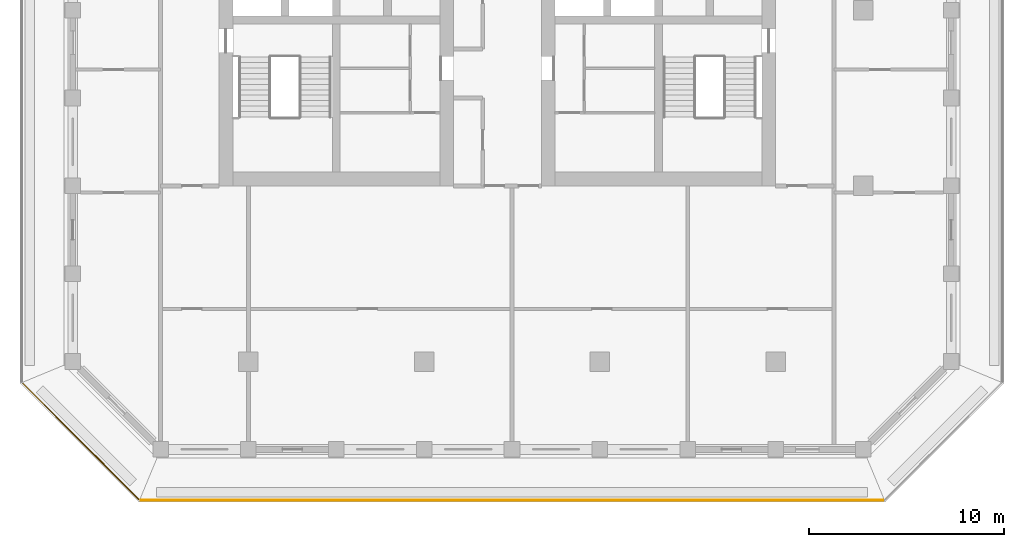
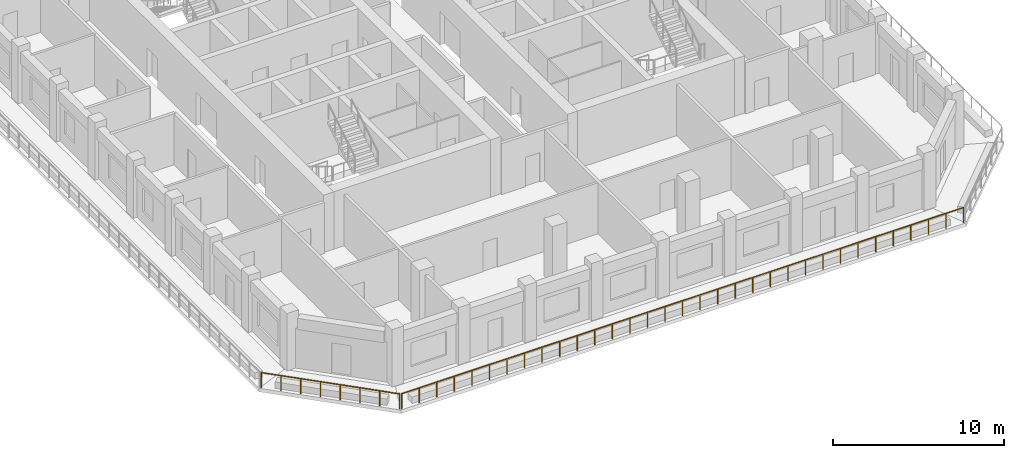
# One storey, part 9 of 17: 2 railings.
"""IFC4 building model written with IfcOpenShell, lengths in metres."""

from ifc_helpers import new_model, si_unit, direction, frame, origin, origin_2d, place, context, subcontext, project, spatial, circle, extrude, material, type_object, element, save


model = new_model("IFC4")

# Units and contexts
model_context = context("Model", 3, precision=1e-05, world=origin(), true_north=direction((0.0, 1.0)))
body_context = subcontext(model_context, "Body", "Model", "MODEL_VIEW")
ifc_project = project(units=[si_unit("LENGTHUNIT", "METRE"), si_unit("AREAUNIT", "SQUARE_METRE"), si_unit("VOLUMEUNIT", "CUBIC_METRE"), si_unit("PLANEANGLEUNIT", "RADIAN"), si_unit("MASSUNIT", "GRAM", prefix="KILO")], contexts=[model_context])

# Site, building, storey
site_placement = place(None, origin())
site = spatial("IfcSite", under=ifc_project, at=site_placement, CompositionType="ELEMENT")
building_placement = place(site_placement, origin())
building = spatial("IfcBuilding", under=site, at=building_placement, Name="Corbel Stack Research Tower", CompositionType="ELEMENT")
storey_placement = place(building_placement, frame((0.0, 0.0, 235.699951171875)))
storey = spatial("IfcBuildingStorey", under=building, at=storey_placement, Name="L53", CompositionType="ELEMENT", Elevation=235.699951171875)

# Railings
ifc_material = material(Name="Powder-coated steel guard", Category="steel")
railing_type = type_object("IfcRailingType", Name="Steel and glass guard 1100", PredefinedType="GUARDRAIL", material=ifc_material)
railing_1_placement = place(storey_placement, frame((-14.50537109375, -25.10009765625, 0.0)))
element("IfcRailing", 1, at=railing_1_placement, inside=storey, type_object=railing_type, Name="Loggia guard L53 S", PredefinedType="GUARDRAIL", context=body_context, shape_type="SweptSolid", body=[
    extrude(circle(Radius=0.02392578125, at=origin_2d()), frame((0.0, 0.0, 1.076171875), z_axis=(1.0, 0.0, 0.0), x_axis=(0.0, 1.0, 0.0)), (0.0, 0.0, 1.0), 38.0107421875),
    extrude(circle(Radius=0.02099609375, at=origin_2d()), origin(), (0.0, 0.0, 1.0), 1.052001953125),
    extrude(circle(Radius=0.02099609375, at=origin_2d()), frame((1.187744140625, 0.0, 0.0)), (0.0, 0.0, 1.0), 1.052001953125),
    extrude(circle(Radius=0.02099609375, at=origin_2d()), frame((2.375732421875, 0.0, 0.0)), (0.0, 0.0, 1.0), 1.052001953125),
    extrude(circle(Radius=0.02099609375, at=origin_2d()), frame((3.5634765625, 0.0, 0.0)), (0.0, 0.0, 1.0), 1.052001953125),
    extrude(circle(Radius=0.02099609375, at=origin_2d()), frame((4.75146484375, 0.0, 0.0)), (0.0, 0.0, 1.0), 1.052001953125),
    extrude(circle(Radius=0.02099609375, at=origin_2d()), frame((5.939208984375, 0.0, 0.0)), (0.0, 0.0, 1.0), 1.052001953125),
    extrude(circle(Radius=0.02099609375, at=origin_2d()), frame((7.126953125, 0.0, 0.0)), (0.0, 0.0, 1.0), 1.052001953125),
    extrude(circle(Radius=0.02099609375, at=origin_2d()), frame((8.31494140625, 0.0, 0.0)), (0.0, 0.0, 1.0), 1.052001953125),
    extrude(circle(Radius=0.02099609375, at=origin_2d()), frame((9.502685546875, 0.0, 0.0)), (0.0, 0.0, 1.0), 1.052001953125),
    extrude(circle(Radius=0.02099609375, at=origin_2d()), frame((10.6904296875, 0.0, 0.0)), (0.0, 0.0, 1.0), 1.052001953125),
    extrude(circle(Radius=0.02099609375, at=origin_2d()), frame((11.87841796875, 0.0, 0.0)), (0.0, 0.0, 1.0), 1.052001953125),
    extrude(circle(Radius=0.02099609375, at=origin_2d()), frame((13.066162109375, 0.0, 0.0)), (0.0, 0.0, 1.0), 1.052001953125),
    extrude(circle(Radius=0.02099609375, at=origin_2d()), frame((14.25390625, 0.0, 0.0)), (0.0, 0.0, 1.0), 1.052001953125),
    extrude(circle(Radius=0.02099609375, at=origin_2d()), frame((15.44189453125, 0.0, 0.0)), (0.0, 0.0, 1.0), 1.052001953125),
    extrude(circle(Radius=0.02099609375, at=origin_2d()), frame((16.629638671875, 0.0, 0.0)), (0.0, 0.0, 1.0), 1.052001953125),
    extrude(circle(Radius=0.02099609375, at=origin_2d()), frame((17.817626953125, 0.0, 0.0)), (0.0, 0.0, 1.0), 1.052001953125),
    extrude(circle(Radius=0.02099609375, at=origin_2d()), frame((19.00537109375, 0.0, 0.0)), (0.0, 0.0, 1.0), 1.052001953125),
    extrude(circle(Radius=0.02099609375, at=origin_2d()), frame((20.193115234375, 0.0, 0.0)), (0.0, 0.0, 1.0), 1.052001953125),
    extrude(circle(Radius=0.02099609375, at=origin_2d()), frame((21.381103515625, 0.0, 0.0)), (0.0, 0.0, 1.0), 1.052001953125),
    extrude(circle(Radius=0.02099609375, at=origin_2d()), frame((22.56884765625, 0.0, 0.0)), (0.0, 0.0, 1.0), 1.052001953125),
    extrude(circle(Radius=0.02099609375, at=origin_2d()), frame((23.7568359375, 0.0, 0.0)), (0.0, 0.0, 1.0), 1.052001953125),
    extrude(circle(Radius=0.02099609375, at=origin_2d()), frame((24.944580078125, 0.0, 0.0)), (0.0, 0.0, 1.0), 1.052001953125),
    extrude(circle(Radius=0.02099609375, at=origin_2d()), frame((26.13232421875, 0.0, 0.0)), (0.0, 0.0, 1.0), 1.052001953125),
    extrude(circle(Radius=0.02099609375, at=origin_2d()), frame((27.3203125, 0.0, 0.0)), (0.0, 0.0, 1.0), 1.052001953125),
    extrude(circle(Radius=0.02099609375, at=origin_2d()), frame((28.508056640625, 0.0, 0.0)), (0.0, 0.0, 1.0), 1.052001953125),
    extrude(circle(Radius=0.02099609375, at=origin_2d()), frame((29.69580078125, 0.0, 0.0)), (0.0, 0.0, 1.0), 1.052001953125),
    extrude(circle(Radius=0.02099609375, at=origin_2d()), frame((30.8837890625, 0.0, 0.0)), (0.0, 0.0, 1.0), 1.052001953125),
    extrude(circle(Radius=0.02099609375, at=origin_2d()), frame((32.071533203125, 0.0, 0.0)), (0.0, 0.0, 1.0), 1.052001953125),
    extrude(circle(Radius=0.02099609375, at=origin_2d()), frame((33.25927734375, 0.0, 0.0)), (0.0, 0.0, 1.0), 1.052001953125),
    extrude(circle(Radius=0.02099609375, at=origin_2d()), frame((34.447265625, 0.0, 0.0)), (0.0, 0.0, 1.0), 1.052001953125),
    extrude(circle(Radius=0.02099609375, at=origin_2d()), frame((35.635009765625, 0.0, 0.0)), (0.0, 0.0, 1.0), 1.052001953125),
    extrude(circle(Radius=0.02099609375, at=origin_2d()), frame((36.822998046875, 0.0, 0.0)), (0.0, 0.0, 1.0), 1.052001953125),
    extrude(circle(Radius=0.02099609375, at=origin_2d()), frame((38.0107421875, 0.0, 0.0)), (0.0, 0.0, 1.0), 1.052001953125),
])
railing_2_placement = place(storey_placement, frame((-20.54931640625, -19.127685546875, 0.0)))
element("IfcRailing", 2, at=railing_2_placement, inside=storey, type_object=railing_type, Name="Loggia guard L53 SW", PredefinedType="GUARDRAIL", context=body_context, shape_type="SweptSolid", body=[
    extrude(circle(Radius=0.02392578125, at=origin_2d()), frame((0.0, 0.0, 1.076171875), z_axis=(0.707106781187, -0.707106781187, 0.0), x_axis=(0.707106781187, 0.707106781187, 0.0)), (0.0, 0.0, 1.0), 8.37451171875),
    extrude(circle(Radius=0.02099609375, at=origin_2d()), origin(), (0.0, 0.0, 1.0), 1.052001953125),
    extrude(circle(Radius=0.02099609375, at=origin_2d()), frame((0.845947265625, -0.845947265625, 0.0)), (0.0, 0.0, 1.0), 1.052001953125),
    extrude(circle(Radius=0.02099609375, at=origin_2d()), frame((1.69189453125, -1.69189453125, 0.0)), (0.0, 0.0, 1.0), 1.052001953125),
    extrude(circle(Radius=0.02099609375, at=origin_2d()), frame((2.537841796875, -2.537841796875, 0.0)), (0.0, 0.0, 1.0), 1.052001953125),
    extrude(circle(Radius=0.02099609375, at=origin_2d()), frame((3.3837890625, -3.3837890625, 0.0)), (0.0, 0.0, 1.0), 1.052001953125),
    extrude(circle(Radius=0.02099609375, at=origin_2d()), frame((4.229736328125, -4.229736328125, 0.0)), (0.0, 0.0, 1.0), 1.052001953125),
    extrude(circle(Radius=0.02099609375, at=origin_2d()), frame((5.07568359375, -5.07568359375, 0.0)), (0.0, 0.0, 1.0), 1.052001953125),
    extrude(circle(Radius=0.02099609375, at=origin_2d()), frame((5.921630859375, -5.921630859375, 0.0)), (0.0, 0.0, 1.0), 1.052001953125),
])

save(model, "model.ifc")
